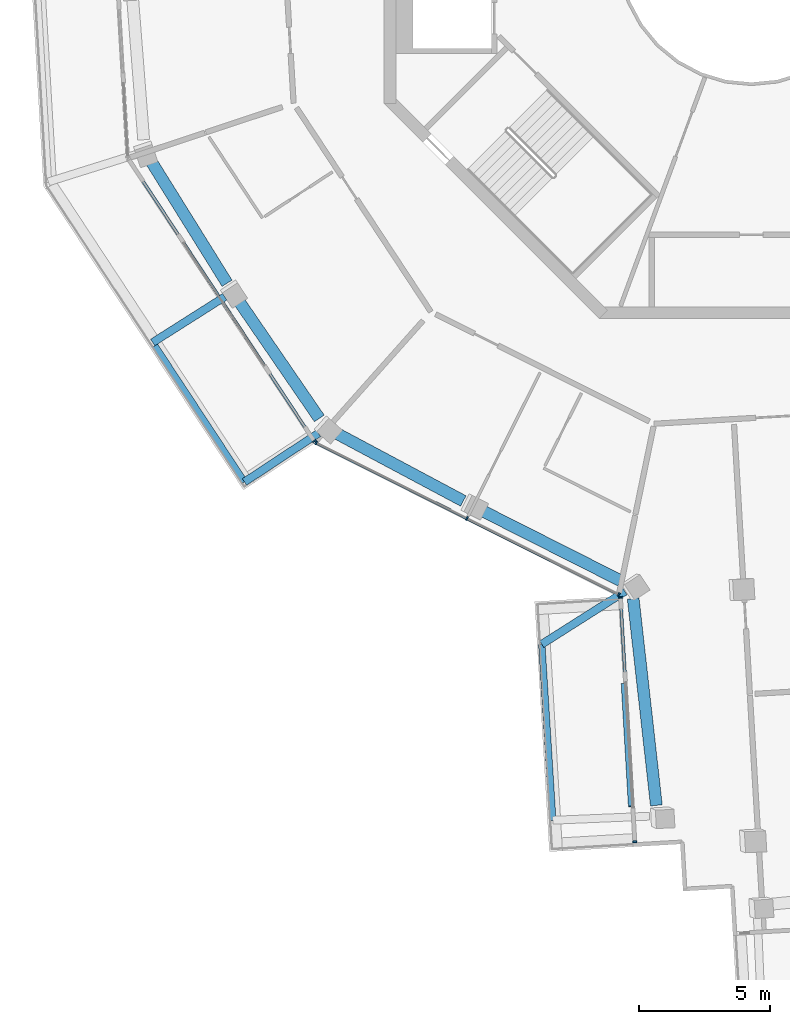
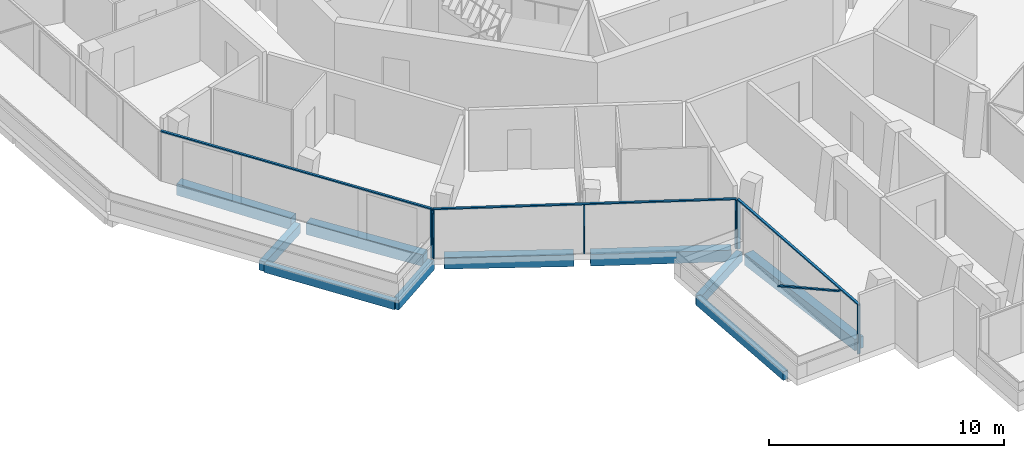
# One storey, part 2 of 26: 10 beams, 10 members, 3 elements without a shape of their own.
"""IFC4 building model written with IfcOpenShell, lengths in metres."""

from ifc_helpers import new_model, si_unit, direction, frame, origin, origin_2d, place, context, subcontext, project, spatial, rectangle, extrude, material, layer, layer_set, material_profile, profile_set, type_object, element, aggregate, save


model = new_model("IFC4")

# Units and contexts
model_context = context("Model", 3, precision=1e-05, world=origin(), true_north=direction((0.0, 1.0)))
body_context = subcontext(model_context, "Body", "Model", "MODEL_VIEW")
ifc_project = project(units=[si_unit("LENGTHUNIT", "METRE"), si_unit("AREAUNIT", "SQUARE_METRE"), si_unit("VOLUMEUNIT", "CUBIC_METRE"), si_unit("PLANEANGLEUNIT", "RADIAN"), si_unit("MASSUNIT", "GRAM", prefix="KILO")], contexts=[model_context])

# Site, building, storey
site_placement = place(None, origin())
site = spatial("IfcSite", under=ifc_project, at=site_placement, CompositionType="ELEMENT")
building_placement = place(site_placement, origin())
building = spatial("IfcBuilding", under=site, at=building_placement, Name="Verdalira Terraces Hotel", CompositionType="ELEMENT")
storey_placement = place(building_placement, frame((0.0, 0.0, 291.5)))
storey = spatial("IfcBuildingStorey", under=building, at=storey_placement, Name="L72", CompositionType="ELEMENT", Elevation=291.5)

# Beams
ifc_material_1 = material(Name="Concrete C40", Category="concrete")
ifc_material_profile_1 = material_profile(ifc_material_1, rectangle(XDim=0.300049, YDim=0.5, at=origin_2d()), Name="RC 300X500")
ifc_profile_set_1 = profile_set([ifc_material_profile_1], Name="Concrete C40")
beam_type_1 = type_object("IfcBeamType", Name="Balcony cantilever beam RC 300X500 C40", PredefinedType="BEAM", material=ifc_profile_set_1)
beam_1_placement = place(storey_placement, frame((-20.074707, -13.167725, -0.560059), z_axis=(-0.844328767, -0.535825469, 0.0), x_axis=(0.535825469, -0.844328767, 0.0)))
element("IfcBeam", 1, at=beam_1_placement, inside=storey, type_object=beam_type_1, Name="Balcony cantilever beam R11-1", PredefinedType="BEAM", context=body_context, shape_type="SweptSolid", body=[
    extrude(rectangle(XDim=0.300049, YDim=0.5, at=origin_2d()), origin(), (0.0, 0.0, 1.0), 3.250977),
])
beam_2_placement = place(storey_placement, frame((-16.506104, -18.370117, -0.560059), z_axis=(-0.835234973, -0.549893207, 0.0), x_axis=(0.549893207, -0.835234973, 0.0)))
element("IfcBeam", 2, at=beam_2_placement, inside=storey, type_object=beam_type_1, Name="Balcony cantilever beam R11-2", PredefinedType="BEAM", context=body_context, shape_type="SweptSolid", body=[
    extrude(rectangle(XDim=0.300049, YDim=0.5, at=origin_2d()), origin(), (0.0, 0.0, 1.0), 3.370117),
])
beam_3_placement = place(storey_placement, frame((-4.819824, -24.397217, -0.560059), z_axis=(-0.844329986, -0.535823549, 0.0), x_axis=(0.535823549, -0.844329986, 0.0)))
element("IfcBeam", 3, at=beam_3_placement, inside=storey, type_object=beam_type_1, Name="Balcony cantilever beam R14-1", PredefinedType="BEAM", context=body_context, shape_type="SweptSolid", body=[
    extrude(rectangle(XDim=0.300049, YDim=0.5, at=origin_2d()), origin(), (0.0, 0.0, 1.0), 3.755859),
])
ifc_material_2 = material(Name="Concrete C40", Category="concrete")
ifc_material_profile_2 = material_profile(ifc_material_2, rectangle(XDim=0.25, YDim=0.449951, at=origin_2d()), Name="RC 250X450")
ifc_profile_set_2 = profile_set([ifc_material_profile_2], Name="Concrete C40")
beam_type_2 = type_object("IfcBeamType", Name="Balcony edge beam RC 250X450 C40", PredefinedType="BEAM", material=ifc_profile_set_2)
beam_4_placement = place(storey_placement, frame((-22.737061, -15.034912, -0.534912), z_axis=(0.54990231, -0.83522898, 0.0), x_axis=(0.83522898, 0.54990231, 0.0)))
element("IfcBeam", 4, at=beam_4_placement, inside=storey, type_object=beam_type_2, Name="Balcony edge beam R11-1", PredefinedType="BEAM", context=body_context, shape_type="SweptSolid", body=[
    extrude(rectangle(XDim=0.25, YDim=0.449951, at=origin_2d()), origin(), (0.0, 0.0, 1.0), 6.212158),
])
beam_5_placement = place(storey_placement, frame((-7.990967, -26.409668, -0.534912), z_axis=(0.062330797, -0.998055545, 0.0), x_axis=(0.998055545, 0.062330797, 0.0)))
element("IfcBeam", 5, at=beam_5_placement, inside=storey, type_object=beam_type_2, Name="Balcony edge beam R14-1", PredefinedType="BEAM", context=body_context, shape_type="SweptSolid", body=[
    extrude(rectangle(XDim=0.25, YDim=0.449951, at=origin_2d()), origin(), (0.0, 0.0, 1.0), 6.721436),
])

# Curtain wall, member
ifc_material_3 = material(Name="Clear glass", Category="glass")
ifc_layer_1 = layer(ifc_material_3, 0.14990234375)
ifc_layer_set_1 = layer_set([ifc_layer_1], Name="CW1 curtain wall")
curtain_wall_type_1 = type_object("IfcCurtainWallType", Name="CW1 curtain wall", PredefinedType="NOTDEFINED", material=ifc_layer_set_1)
curtain_wall_1_placement = place(storey_placement, origin())
curtain_wall_1 = element("IfcCurtainWall", 6, at=curtain_wall_1_placement, inside=storey, type_object=curtain_wall_type_1, Name="CW1 curtain wall L72 edge 12", PredefinedType="NOTDEFINED")
ifc_material_4 = material(Name="Terracotta frame", Category="masonry")
ifc_material_profile_3 = material_profile(ifc_material_4, rectangle(XDim=0.060059, YDim=0.149902, at=origin_2d()), Name="MU 60x150")
ifc_profile_set_3 = profile_set([ifc_material_profile_3], Name="Terracotta frame")
member_type_1 = type_object("IfcMemberType", Name="CW1 mullion 60x150", PredefinedType="MULLION", material=ifc_profile_set_3)
member_1_placement = place(storey_placement, frame((-16.662842, -18.668701, 0.0), z_axis=(0.0, 0.0, 1.0), x_axis=(0.549897772, -0.835231968, 0.0)))
member_1 = element("IfcMember", 7, at=member_1_placement, type_object=member_type_1, Name="CW1 mullion", PredefinedType="MULLION", context=body_context, shape_type="SweptSolid", body=[
    extrude(rectangle(XDim=0.060059, YDim=0.149902, at=origin_2d()), origin(), (0.0, 0.0, 1.0), 2.524902),
])

# Curtain wall, members
curtain_wall_2_placement = place(storey_placement, origin())
curtain_wall_2 = element("IfcCurtainWall", 8, at=curtain_wall_2_placement, inside=storey, type_object=curtain_wall_type_1, Name="CW1 curtain wall L72 edge 13", PredefinedType="NOTDEFINED")
member_2_placement = place(storey_placement, frame((-16.590576, -18.733154, 0.0), z_axis=(0.0, 0.0, 1.0), x_axis=(0.893841424, -0.448383216, 0.0)))
member_2 = element("IfcMember", 9, at=member_2_placement, type_object=member_type_1, Name="CW1 mullion", PredefinedType="MULLION", context=body_context, shape_type="SweptSolid", body=[
    extrude(rectangle(XDim=0.060059, YDim=0.149902, at=origin_2d()), origin(), (0.0, 0.0, 1.0), 2.524902),
])
member_3_placement = place(storey_placement, frame((-10.843506, -21.615967, 0.0), z_axis=(0.0, 0.0, 1.0), x_axis=(0.893841424, -0.448383216, 0.0)))
member_3 = element("IfcMember", 10, at=member_3_placement, type_object=member_type_1, Name="CW1 mullion", PredefinedType="MULLION", context=body_context, shape_type="SweptSolid", body=[
    extrude(rectangle(XDim=0.060059, YDim=0.149902, at=origin_2d()), origin(), (0.0, 0.0, 1.0), 2.524902),
])
member_4_placement = place(storey_placement, frame((-5.060303, -24.51709, 0.0), z_axis=(0.0, 0.0, 1.0), x_axis=(0.893841424, -0.448383216, 0.0)))
member_4 = element("IfcMember", 11, at=member_4_placement, type_object=member_type_1, Name="CW1 mullion", PredefinedType="MULLION", context=body_context, shape_type="SweptSolid", body=[
    extrude(rectangle(XDim=0.060059, YDim=0.149902, at=origin_2d()), origin(), (0.0, 0.0, 1.0), 2.524902),
])

# Member
ifc_material_5 = material(Name="Terracotta frame", Category="masonry")
ifc_material_profile_4 = material_profile(ifc_material_5, rectangle(XDim=0.110107, YDim=0.064941, at=origin_2d()), Name="TR 65x110")
ifc_profile_set_4 = profile_set([ifc_material_profile_4], Name="Terracotta frame")
member_type_2 = type_object("IfcMemberType", Name="CW1 transom 65x110", PredefinedType="USERDEFINED", material=ifc_profile_set_4)
member_5_placement = place(storey_placement, frame((-23.750977, -7.902832, 2.557617), z_axis=(0.549894122, -0.835234371, 0.0), x_axis=(0.835234371, 0.549894122, 0.0)))
member_5 = element("IfcMember", 12, at=member_5_placement, type_object=member_type_2, Name="CW1 transom", ObjectType="TRANSOM", PredefinedType="USERDEFINED", context=body_context, shape_type="SweptSolid", body=[
    extrude(rectangle(XDim=0.110107, YDim=0.064941, at=origin_2d()), origin(), (0.0, 0.0, 1.0), 12.919678),
])

aggregate(curtain_wall_1, [member_1, member_5])

member_6_placement = place(storey_placement, frame((-16.617432, -18.719482, 2.557617), z_axis=(0.893838664, -0.448388718, 0.0), x_axis=(0.448388718, 0.893838664, 0.0)))
member_6 = element("IfcMember", 13, at=member_6_placement, type_object=member_type_2, Name="CW1 transom", ObjectType="TRANSOM", PredefinedType="USERDEFINED", context=body_context, shape_type="SweptSolid", body=[
    extrude(rectangle(XDim=0.110107, YDim=0.064941, at=origin_2d()), origin(), (0.0, 0.0, 1.0), 12.959717),
])

aggregate(curtain_wall_2, [member_2, member_3, member_4, member_6])

# Curtain wall, members
ifc_material_6 = material(Name="Clear glass", Category="glass")
ifc_layer_2 = layer(ifc_material_6, 0.14990234375)
ifc_layer_set_2 = layer_set([ifc_layer_2], Name="CW2 curtain wall")
curtain_wall_type_2 = type_object("IfcCurtainWallType", Name="CW2 curtain wall", PredefinedType="NOTDEFINED", material=ifc_layer_set_2)
curtain_wall_3_placement = place(storey_placement, origin())
curtain_wall_3 = element("IfcCurtainWall", 14, at=curtain_wall_3_placement, inside=storey, type_object=curtain_wall_type_2, Name="CW2 curtain wall L72 edge 14", PredefinedType="NOTDEFINED")
ifc_material_7 = material(Name="Terracotta frame", Category="masonry")
ifc_material_profile_5 = material_profile(ifc_material_7, rectangle(XDim=0.070068, YDim=0.149902, at=origin_2d()), Name="MU 70x150")
ifc_profile_set_5 = profile_set([ifc_material_profile_5], Name="Terracotta frame")
member_type_3 = type_object("IfcMemberType", Name="CW2 mullion 70x150", PredefinedType="MULLION", material=ifc_profile_set_5)
member_7_placement = place(storey_placement, frame((-4.990234, -24.628174, 0.0), z_axis=(0.0, 0.0, 1.0), x_axis=(0.058609456, -0.998280988, 0.0)))
member_7 = element("IfcMember", 15, at=member_7_placement, type_object=member_type_3, Name="CW2 mullion", PredefinedType="MULLION", context=body_context, shape_type="SweptSolid", body=[
    extrude(rectangle(XDim=0.070068, YDim=0.149902, at=origin_2d()), origin(), (0.0, 0.0, 1.0), 2.524902),
])
member_8_placement = place(storey_placement, frame((-4.443359, -33.939697, 0.0), z_axis=(0.0, 0.0, 1.0), x_axis=(0.058609456, -0.998280988, 0.0)))
member_8 = element("IfcMember", 16, at=member_8_placement, type_object=member_type_3, Name="CW2 mullion", PredefinedType="MULLION", context=body_context, shape_type="SweptSolid", body=[
    extrude(rectangle(XDim=0.070068, YDim=0.149902, at=origin_2d()), origin(), (0.0, 0.0, 1.0), 2.524902),
])
ifc_material_8 = material(Name="Terracotta frame", Category="masonry")
ifc_material_profile_6 = material_profile(ifc_material_8, rectangle(XDim=0.11499, YDim=0.064941, at=origin_2d()), Name="TR 65x115")
ifc_profile_set_6 = profile_set([ifc_material_profile_6], Name="Terracotta frame")
member_type_4 = type_object("IfcMemberType", Name="CW2 transom 65x115", PredefinedType="USERDEFINED", material=ifc_profile_set_6)
member_9_placement = place(storey_placement, frame((-4.992188, -24.593262, 2.557617), z_axis=(0.058609325, -0.998280996, 0.0), x_axis=(0.998280996, 0.058609325, 0.0)))
member_9 = element("IfcMember", 17, at=member_9_placement, type_object=member_type_4, Name="CW2 transom", ObjectType="TRANSOM", PredefinedType="USERDEFINED", context=body_context, shape_type="SweptSolid", body=[
    extrude(rectangle(XDim=0.11499, YDim=0.064941, at=origin_2d()), origin(), (0.0, 0.0, 1.0), 9.397461),
])
ifc_material_9 = material(Name="Terracotta frame", Category="masonry")
ifc_material_profile_7 = material_profile(ifc_material_9, rectangle(XDim=0.149902, YDim=0.060059, at=origin_2d()), Name="GB 60x150")
ifc_profile_set_7 = profile_set([ifc_material_profile_7], Name="Terracotta frame")
member_type_5 = type_object("IfcMemberType", Name="Diagonal glazing bar 60x150", PredefinedType="USERDEFINED", material=ifc_profile_set_7)
member_10_placement = place(storey_placement, frame((-4.888428, -27.914795, 0.027588), z_axis=(0.051873521, -0.883002602, 0.466492811), x_axis=(0.998278864, 0.058645625, 0.0)))
member_10 = element("IfcMember", 18, at=member_10_placement, type_object=member_type_5, Name="Diagonal glazing bar", ObjectType="GLAZING BAR", PredefinedType="USERDEFINED", context=body_context, shape_type="SweptSolid", body=[
    extrude(rectangle(XDim=0.149902, YDim=0.060059, at=origin_2d()), origin(), (0.0, 0.0, 1.0), 5.294678),
])
aggregate(curtain_wall_3, [member_7, member_8, member_9, member_10])

# Beams
ifc_material_10 = material(Name="Concrete C40", Category="concrete")
ifc_material_profile_8 = material_profile(ifc_material_10, rectangle(XDim=0.449951, YDim=0.600098, at=origin_2d()), Name="RC 450X600")
ifc_profile_set_8 = profile_set([ifc_material_profile_8], Name="Concrete C40")
beam_type_3 = type_object("IfcBeamType", Name="Spandrel beam RC 450X600 C40", PredefinedType="SPANDREL", material=ifc_profile_set_8)
beam_6_placement = place(storey_placement, frame((-22.904785, -7.963623, -0.610107), z_axis=(0.528711089, -0.848801852, 0.0), x_axis=(0.848801852, 0.528711089, 0.0)))
element("IfcBeam", 19, at=beam_6_placement, inside=storey, type_object=beam_type_3, Name="Spandrel beam B06", PredefinedType="SPANDREL", context=body_context, shape_type="SweptSolid", body=[
    extrude(rectangle(XDim=0.449951, YDim=0.600098, at=origin_2d()), origin(), (0.0, 0.0, 1.0), 5.523682),
])
beam_7_placement = place(storey_placement, frame((-19.592529, -13.250488, -0.610107), z_axis=(0.565914995, -0.824463594, 0.0), x_axis=(0.824463594, 0.565914995, 0.0)))
element("IfcBeam", 20, at=beam_7_placement, inside=storey, type_object=beam_type_3, Name="Spandrel beam B07", PredefinedType="SPANDREL", context=body_context, shape_type="SweptSolid", body=[
    extrude(rectangle(XDim=0.449951, YDim=0.600098, at=origin_2d()), origin(), (0.0, 0.0, 1.0), 5.52124),
])
beam_8_placement = place(storey_placement, frame((-15.854248, -18.349121, -0.610107), z_axis=(0.882277071, -0.470730465, 0.0), x_axis=(0.470730465, 0.882277071, 0.0)))
element("IfcBeam", 21, at=beam_8_placement, inside=storey, type_object=beam_type_3, Name="Spandrel beam B08", PredefinedType="SPANDREL", context=body_context, shape_type="SweptSolid", body=[
    extrude(rectangle(XDim=0.449951, YDim=0.600098, at=origin_2d()), origin(), (0.0, 0.0, 1.0), 5.523438),
])
beam_9_placement = place(storey_placement, frame((-10.352783, -21.275391, -0.610107), z_axis=(0.89252667, -0.450994616, 0.0), x_axis=(0.450994616, 0.89252667, 0.0)))
element("IfcBeam", 22, at=beam_9_placement, inside=storey, type_object=beam_type_3, Name="Spandrel beam B09", PredefinedType="SPANDREL", context=body_context, shape_type="SweptSolid", body=[
    extrude(rectangle(XDim=0.449951, YDim=0.600098, at=origin_2d()), origin(), (0.0, 0.0, 1.0), 6.011475),
])
beam_10_placement = place(storey_placement, frame((-4.506836, -24.667969, -0.610107), z_axis=(0.111458506, -0.993769089, 0.0), x_axis=(0.993769089, 0.111458506, 0.0)))
element("IfcBeam", 23, at=beam_10_placement, inside=storey, type_object=beam_type_3, Name="Spandrel beam B10", PredefinedType="SPANDREL", context=body_context, shape_type="SweptSolid", body=[
    extrude(rectangle(XDim=0.449951, YDim=0.600098, at=origin_2d()), origin(), (0.0, 0.0, 1.0), 7.931396),
])

save(model, "model.ifc")
